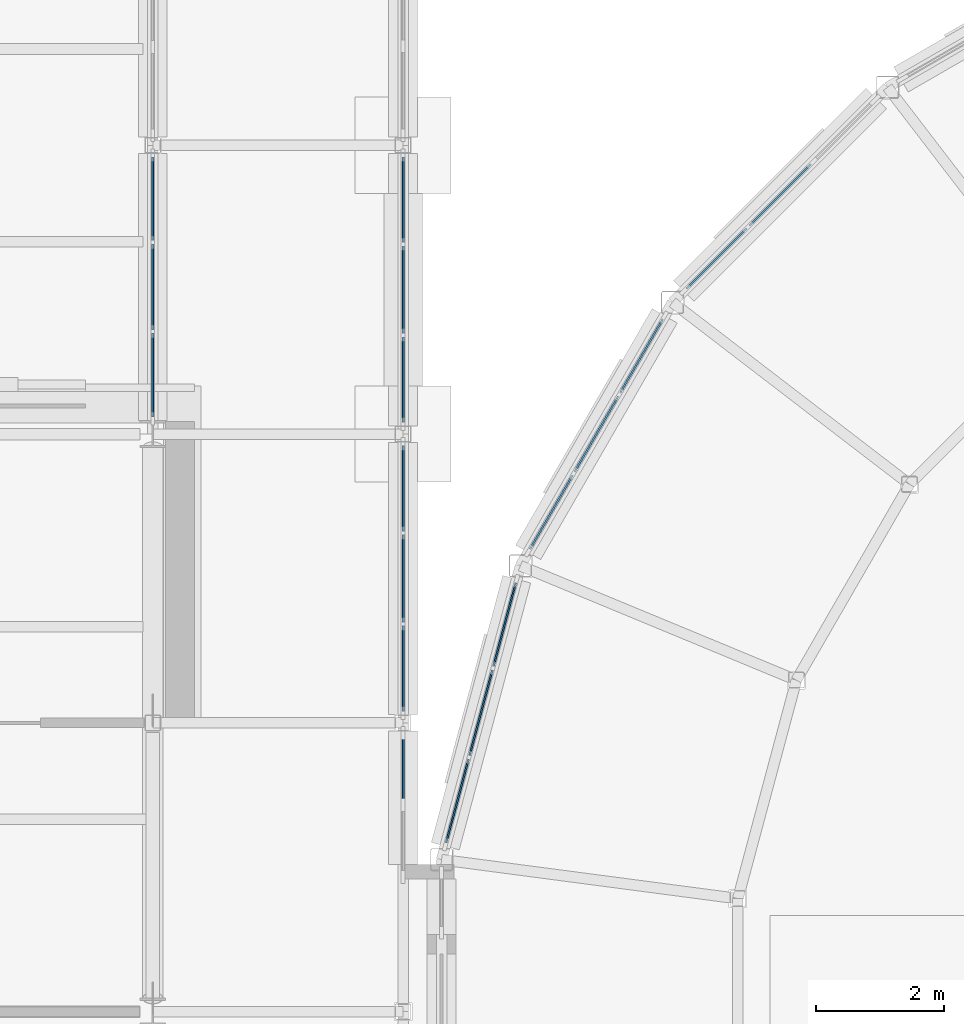
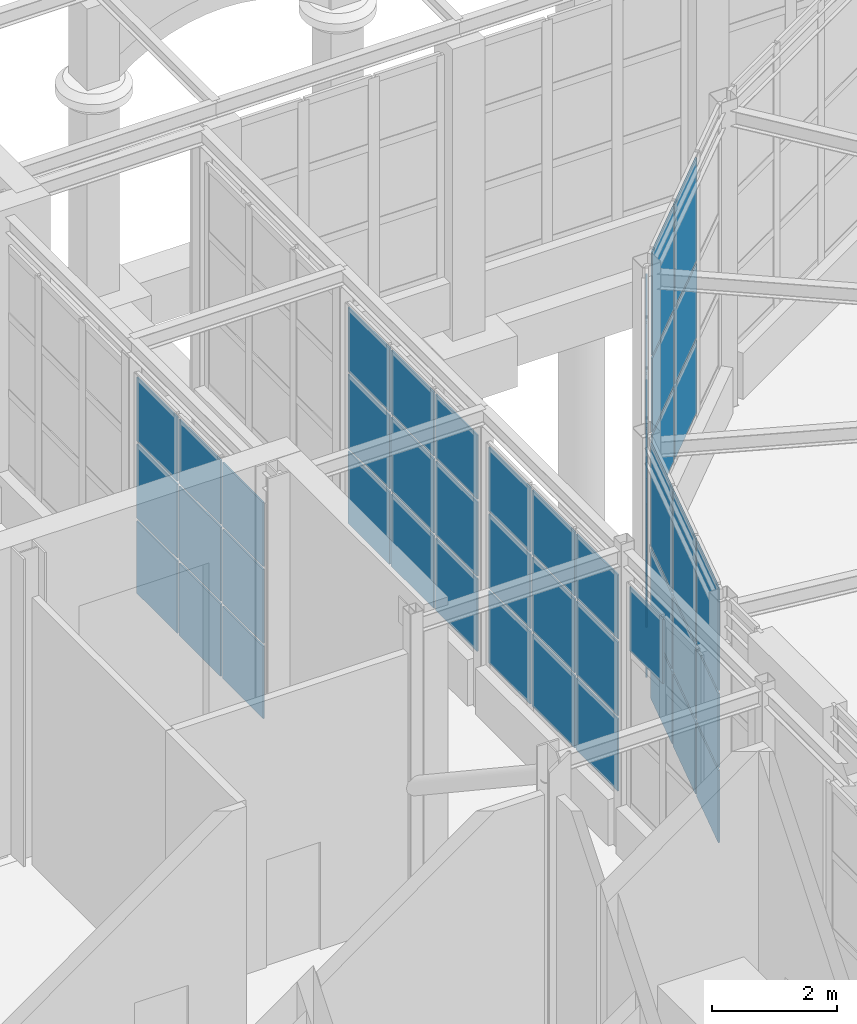
# One storey, part 58 of 106: 52 plates, 7 elements without a shape of their own.
"""IFC4 building model written with IfcOpenShell, lengths in metres."""

from ifc_helpers import new_model, si_unit, direction, frame, origin, origin_2d, place, context, subcontext, project, spatial, rectangle, extrude, material, layer, layer_set, type_object, element, aggregate, save


model = new_model("IFC4")

# Units and contexts
model_context = context("Model", 3, precision=1e-05, world=origin(), true_north=direction((0.0, 1.0)))
body_context = subcontext(model_context, "Body", "Model", "MODEL_VIEW")
ifc_project = project(units=[si_unit("LENGTHUNIT", "METRE"), si_unit("AREAUNIT", "SQUARE_METRE"), si_unit("VOLUMEUNIT", "CUBIC_METRE"), si_unit("PLANEANGLEUNIT", "RADIAN"), si_unit("MASSUNIT", "GRAM", prefix="KILO")], contexts=[model_context])

# Site, building, storey
site_placement = place(None, origin())
site = spatial("IfcSite", under=ifc_project, at=site_placement, CompositionType="ELEMENT")
building_placement = place(site_placement, origin())
building = spatial("IfcBuilding", under=site, at=building_placement, Name="Hortulan Conservatory and Botanical Research Centre", CompositionType="ELEMENT")
storey_placement = place(building_placement, origin())
storey = spatial("IfcBuildingStorey", under=building, at=storey_placement, Name="L00", CompositionType="ELEMENT", Elevation=0.0)

# Curtain wall, plates
ifc_material_1 = material(Name="Bronze-finished aluminium", Category="aluminium")
ifc_layer_1 = layer(ifc_material_1, 0.10009765625)
ifc_layer_set_1 = layer_set([ifc_layer_1], Name="Bronze-framed Curtain Wall 1500 module")
curtain_wall_type = type_object("IfcCurtainWallType", Name="Bronze-framed Curtain Wall 1500 module", PredefinedType="NOTDEFINED", material=ifc_layer_set_1)
curtain_wall_1_placement = place(storey_placement, origin())
curtain_wall_1 = element("IfcCurtainWall", 1, at=curtain_wall_1_placement, inside=storey, type_object=curtain_wall_type, Name="Curtain wall", PredefinedType="NOTDEFINED")
ifc_material_2 = material(Name="Low-e laminated glass", Category="glass")
ifc_layer_2 = layer(ifc_material_2, 0.028076171875)
ifc_layer_set_2 = layer_set([ifc_layer_2], Name="Laminated Glass Panel 28")
plate_type = type_object("IfcPlateType", Name="Laminated Glass Panel 28", PredefinedType="CURTAIN_PANEL", material=ifc_layer_set_2)
plate_1_placement = place(storey_placement, frame((40.281982421875, 29.73779296875, 0.9599609375), z_axis=(0.0, 0.0, 1.0), x_axis=(0.707095004018, 0.707118558159, 0.0)))
plate_1 = element("IfcPlate", 2, at=plate_1_placement, type_object=plate_type, Name="CW1 panel 1.1", PredefinedType="CURTAIN_PANEL", context=body_context, shape_type="SweptSolid", body=[
    extrude(rectangle(XDim=1.3251953125, YDim=0.028076171875, at=origin_2d()), origin(), (0.0, 0.0, 1.0), 1.409912109375),
])
plate_2_placement = place(storey_placement, frame((40.281982421875, 29.73779296875, 2.429931640625), z_axis=(0.0, 0.0, 1.0), x_axis=(0.707095004018, 0.707118558159, 0.0)))
plate_2 = element("IfcPlate", 3, at=plate_2_placement, type_object=plate_type, Name="CW1 panel 1.2", PredefinedType="CURTAIN_PANEL", context=body_context, shape_type="SweptSolid", body=[
    extrude(rectangle(XDim=1.3251953125, YDim=0.028076171875, at=origin_2d()), origin(), (0.0, 0.0, 1.0), 1.43994140625),
])
plate_3_placement = place(storey_placement, frame((40.281982421875, 29.73779296875, 3.93017578125), z_axis=(0.0, 0.0, 1.0), x_axis=(0.707095004018, 0.707118558159, 0.0)))
plate_3 = element("IfcPlate", 4, at=plate_3_placement, type_object=plate_type, Name="CW1 panel 1.3", PredefinedType="CURTAIN_PANEL", context=body_context, shape_type="SweptSolid", body=[
    extrude(rectangle(XDim=1.3251953125, YDim=0.028076171875, at=origin_2d()), origin(), (0.0, 0.0, 1.0), 2.010009765625),
])
plate_4_placement = place(storey_placement, frame((41.272216796875, 30.72802734375, 0.9599609375), z_axis=(0.0, 0.0, 1.0), x_axis=(0.707095004018, 0.707118558159, 0.0)))
plate_4 = element("IfcPlate", 5, at=plate_4_placement, type_object=plate_type, Name="CW1 panel 2.1", PredefinedType="CURTAIN_PANEL", context=body_context, shape_type="SweptSolid", body=[
    extrude(rectangle(XDim=1.355224609375, YDim=0.028076171875, at=origin_2d()), origin(), (0.0, 0.0, 1.0), 1.409912109375),
])
plate_5_placement = place(storey_placement, frame((41.272216796875, 30.72802734375, 2.429931640625), z_axis=(0.0, 0.0, 1.0), x_axis=(0.707095004018, 0.707118558159, 0.0)))
plate_5 = element("IfcPlate", 6, at=plate_5_placement, type_object=plate_type, Name="CW1 panel 2.2", PredefinedType="CURTAIN_PANEL", context=body_context, shape_type="SweptSolid", body=[
    extrude(rectangle(XDim=1.355224609375, YDim=0.028076171875, at=origin_2d()), origin(), (0.0, 0.0, 1.0), 1.43994140625),
])
plate_6_placement = place(storey_placement, frame((41.272216796875, 30.72802734375, 3.93017578125), z_axis=(0.0, 0.0, 1.0), x_axis=(0.707095004018, 0.707118558159, 0.0)))
plate_6 = element("IfcPlate", 7, at=plate_6_placement, type_object=plate_type, Name="CW1 panel 2.3", PredefinedType="CURTAIN_PANEL", context=body_context, shape_type="SweptSolid", body=[
    extrude(rectangle(XDim=1.355224609375, YDim=0.028076171875, at=origin_2d()), origin(), (0.0, 0.0, 1.0), 2.010009765625),
])
aggregate(curtain_wall_1, [plate_1, plate_2, plate_3, plate_4, plate_5, plate_6])

curtain_wall_2_placement = place(storey_placement, origin())
curtain_wall_2 = element("IfcCurtainWall", 8, at=curtain_wall_2_placement, inside=storey, type_object=curtain_wall_type, Name="Curtain wall", PredefinedType="NOTDEFINED")
plate_7_placement = place(storey_placement, frame((37.708984375, 25.782958984375, 0.9599609375), z_axis=(0.0, 0.0, 1.0), x_axis=(0.499981160235, 0.866036280655, 0.0)))
plate_7 = element("IfcPlate", 9, at=plate_7_placement, type_object=plate_type, Name="CW1 panel 1.1", PredefinedType="CURTAIN_PANEL", context=body_context, shape_type="SweptSolid", body=[
    extrude(rectangle(XDim=1.330078125, YDim=0.028076171875, at=origin_2d()), origin(), (0.0, 0.0, 1.0), 1.409912109375),
])
plate_8_placement = place(storey_placement, frame((37.708984375, 25.782958984375, 2.429931640625), z_axis=(0.0, 0.0, 1.0), x_axis=(0.499981160235, 0.866036280655, 0.0)))
plate_8 = element("IfcPlate", 10, at=plate_8_placement, type_object=plate_type, Name="CW1 panel 1.2", PredefinedType="CURTAIN_PANEL", context=body_context, shape_type="SweptSolid", body=[
    extrude(rectangle(XDim=1.330078125, YDim=0.028076171875, at=origin_2d()), origin(), (0.0, 0.0, 1.0), 1.43994140625),
])
plate_9_placement = place(storey_placement, frame((37.708984375, 25.782958984375, 3.93017578125), z_axis=(0.0, 0.0, 1.0), x_axis=(0.499981160235, 0.866036280655, 0.0)))
plate_9 = element("IfcPlate", 11, at=plate_9_placement, type_object=plate_type, Name="CW1 panel 1.3", PredefinedType="CURTAIN_PANEL", context=body_context, shape_type="SweptSolid", body=[
    extrude(rectangle(XDim=1.330078125, YDim=0.028076171875, at=origin_2d()), origin(), (0.0, 0.0, 1.0), 2.010009765625),
])
plate_10_placement = place(storey_placement, frame((38.41162109375, 27.0, 0.9599609375), z_axis=(0.0, 0.0, 1.0), x_axis=(0.499981160235, 0.866036280655, 0.0)))
plate_10 = element("IfcPlate", 12, at=plate_10_placement, type_object=plate_type, Name="CW1 panel 2.1", PredefinedType="CURTAIN_PANEL", context=body_context, shape_type="SweptSolid", body=[
    extrude(rectangle(XDim=1.360107421875, YDim=0.028076171875, at=origin_2d()), origin(), (0.0, 0.0, 1.0), 1.409912109375),
])
plate_11_placement = place(storey_placement, frame((38.41162109375, 27.0, 2.429931640625), z_axis=(0.0, 0.0, 1.0), x_axis=(0.499981160235, 0.866036280655, 0.0)))
plate_11 = element("IfcPlate", 13, at=plate_11_placement, type_object=plate_type, Name="CW1 panel 2.2", PredefinedType="CURTAIN_PANEL", context=body_context, shape_type="SweptSolid", body=[
    extrude(rectangle(XDim=1.360107421875, YDim=0.028076171875, at=origin_2d()), origin(), (0.0, 0.0, 1.0), 1.43994140625),
])
plate_12_placement = place(storey_placement, frame((38.41162109375, 27.0, 3.93017578125), z_axis=(0.0, 0.0, 1.0), x_axis=(0.499981160235, 0.866036280655, 0.0)))
plate_12 = element("IfcPlate", 14, at=plate_12_placement, type_object=plate_type, Name="CW1 panel 2.3", PredefinedType="CURTAIN_PANEL", context=body_context, shape_type="SweptSolid", body=[
    extrude(rectangle(XDim=1.360107421875, YDim=0.028076171875, at=origin_2d()), origin(), (0.0, 0.0, 1.0), 2.010009765625),
])
plate_13_placement = place(storey_placement, frame((39.114013671875, 28.217041015625, 0.9599609375), z_axis=(0.0, 0.0, 1.0), x_axis=(0.499981160235, 0.866036280655, 0.0)))
plate_13 = element("IfcPlate", 15, at=plate_13_placement, type_object=plate_type, Name="CW1 panel 3.1", PredefinedType="CURTAIN_PANEL", context=body_context, shape_type="SweptSolid", body=[
    extrude(rectangle(XDim=1.330078125, YDim=0.028076171875, at=origin_2d()), origin(), (0.0, 0.0, 1.0), 1.409912109375),
])
plate_14_placement = place(storey_placement, frame((39.114013671875, 28.217041015625, 2.429931640625), z_axis=(0.0, 0.0, 1.0), x_axis=(0.499981160235, 0.866036280655, 0.0)))
plate_14 = element("IfcPlate", 16, at=plate_14_placement, type_object=plate_type, Name="CW1 panel 3.2", PredefinedType="CURTAIN_PANEL", context=body_context, shape_type="SweptSolid", body=[
    extrude(rectangle(XDim=1.330078125, YDim=0.028076171875, at=origin_2d()), origin(), (0.0, 0.0, 1.0), 1.43994140625),
])
plate_15_placement = place(storey_placement, frame((39.114013671875, 28.217041015625, 3.93017578125), z_axis=(0.0, 0.0, 1.0), x_axis=(0.499981160235, 0.866036280655, 0.0)))
plate_15 = element("IfcPlate", 17, at=plate_15_placement, type_object=plate_type, Name="CW1 panel 3.3", PredefinedType="CURTAIN_PANEL", context=body_context, shape_type="SweptSolid", body=[
    extrude(rectangle(XDim=1.330078125, YDim=0.028076171875, at=origin_2d()), origin(), (0.0, 0.0, 1.0), 2.010009765625),
])
aggregate(curtain_wall_2, [plate_7, plate_8, plate_9, plate_10, plate_11, plate_12, plate_13, plate_14, plate_15])

curtain_wall_3_placement = place(storey_placement, origin())
curtain_wall_3 = element("IfcCurtainWall", 18, at=curtain_wall_3_placement, inside=storey, type_object=curtain_wall_type, Name="Curtain wall", PredefinedType="NOTDEFINED")
plate_16_placement = place(storey_placement, frame((36.245361328125, 21.285400390625, 0.9599609375), z_axis=(0.0, 0.0, 1.0), x_axis=(0.258831936284, 0.965922372015, 0.0)))
plate_16 = element("IfcPlate", 19, at=plate_16_placement, type_object=plate_type, Name="CW1 panel 1.1", PredefinedType="CURTAIN_PANEL", context=body_context, shape_type="SweptSolid", body=[
    extrude(rectangle(XDim=1.346923828125, YDim=0.028076171875, at=origin_2d()), origin(), (0.0, 0.0, 1.0), 1.409912109375),
])
plate_17_placement = place(storey_placement, frame((36.245361328125, 21.285400390625, 2.429931640625), z_axis=(0.0, 0.0, 1.0), x_axis=(0.258831936284, 0.965922372015, 0.0)))
plate_17 = element("IfcPlate", 20, at=plate_17_placement, type_object=plate_type, Name="CW1 panel 1.2", PredefinedType="CURTAIN_PANEL", context=body_context, shape_type="SweptSolid", body=[
    extrude(rectangle(XDim=1.346923828125, YDim=0.028076171875, at=origin_2d()), origin(), (0.0, 0.0, 1.0), 1.43994140625),
])
plate_18_placement = place(storey_placement, frame((36.245361328125, 21.285400390625, 3.93017578125), z_axis=(0.0, 0.0, 1.0), x_axis=(0.258831936284, 0.965922372015, 0.0)))
plate_18 = element("IfcPlate", 21, at=plate_18_placement, type_object=plate_type, Name="CW1 panel 1.3", PredefinedType="CURTAIN_PANEL", context=body_context, shape_type="SweptSolid", body=[
    extrude(rectangle(XDim=1.346923828125, YDim=0.028076171875, at=origin_2d()), origin(), (0.0, 0.0, 1.0), 2.010009765625),
])
plate_19_placement = place(storey_placement, frame((36.61328125, 22.658935546875, 0.9599609375), z_axis=(0.0, 0.0, 1.0), x_axis=(0.258831936284, 0.965922372015, 0.0)))
plate_19 = element("IfcPlate", 22, at=plate_19_placement, type_object=plate_type, Name="CW1 panel 2.1", PredefinedType="CURTAIN_PANEL", context=body_context, shape_type="SweptSolid", body=[
    extrude(rectangle(XDim=1.376953125, YDim=0.028076171875, at=origin_2d()), origin(), (0.0, 0.0, 1.0), 1.409912109375),
])
plate_20_placement = place(storey_placement, frame((36.61328125, 22.658935546875, 2.429931640625), z_axis=(0.0, 0.0, 1.0), x_axis=(0.258831936284, 0.965922372015, 0.0)))
plate_20 = element("IfcPlate", 23, at=plate_20_placement, type_object=plate_type, Name="CW1 panel 2.2", PredefinedType="CURTAIN_PANEL", context=body_context, shape_type="SweptSolid", body=[
    extrude(rectangle(XDim=1.376953125, YDim=0.028076171875, at=origin_2d()), origin(), (0.0, 0.0, 1.0), 1.43994140625),
])
plate_21_placement = place(storey_placement, frame((36.61328125, 22.658935546875, 3.93017578125), z_axis=(0.0, 0.0, 1.0), x_axis=(0.258831936284, 0.965922372015, 0.0)))
plate_21 = element("IfcPlate", 24, at=plate_21_placement, type_object=plate_type, Name="CW1 panel 2.3", PredefinedType="CURTAIN_PANEL", context=body_context, shape_type="SweptSolid", body=[
    extrude(rectangle(XDim=1.376953125, YDim=0.028076171875, at=origin_2d()), origin(), (0.0, 0.0, 1.0), 2.010009765625),
])
plate_22_placement = place(storey_placement, frame((36.9814453125, 24.032470703125, 0.9599609375), z_axis=(0.0, 0.0, 1.0), x_axis=(0.258831936284, 0.965922372015, 0.0)))
plate_22 = element("IfcPlate", 25, at=plate_22_placement, type_object=plate_type, Name="CW1 panel 3.1", PredefinedType="CURTAIN_PANEL", context=body_context, shape_type="SweptSolid", body=[
    extrude(rectangle(XDim=1.346923828125, YDim=0.028076171875, at=origin_2d()), origin(), (0.0, 0.0, 1.0), 1.409912109375),
])
plate_23_placement = place(storey_placement, frame((36.9814453125, 24.032470703125, 2.429931640625), z_axis=(0.0, 0.0, 1.0), x_axis=(0.258831936284, 0.965922372015, 0.0)))
plate_23 = element("IfcPlate", 26, at=plate_23_placement, type_object=plate_type, Name="CW1 panel 3.2", PredefinedType="CURTAIN_PANEL", context=body_context, shape_type="SweptSolid", body=[
    extrude(rectangle(XDim=1.346923828125, YDim=0.028076171875, at=origin_2d()), origin(), (0.0, 0.0, 1.0), 1.43994140625),
])
plate_24_placement = place(storey_placement, frame((36.9814453125, 24.032470703125, 3.93017578125), z_axis=(0.0, 0.0, 1.0), x_axis=(0.258831936284, 0.965922372015, 0.0)))
plate_24 = element("IfcPlate", 27, at=plate_24_placement, type_object=plate_type, Name="CW1 panel 3.3", PredefinedType="CURTAIN_PANEL", context=body_context, shape_type="SweptSolid", body=[
    extrude(rectangle(XDim=1.346923828125, YDim=0.028076171875, at=origin_2d()), origin(), (0.0, 0.0, 1.0), 2.010009765625),
])
aggregate(curtain_wall_3, [plate_16, plate_17, plate_18, plate_19, plate_20, plate_21, plate_22, plate_23, plate_24])

curtain_wall_4_placement = place(storey_placement, origin())
curtain_wall_4 = element("IfcCurtainWall", 28, at=curtain_wall_4_placement, inside=storey, type_object=curtain_wall_type, Name="Curtain wall", PredefinedType="NOTDEFINED")
plate_25_placement = place(storey_placement, frame((35.39990234375, 30.651611328125, 0.9599609375), z_axis=(0.0, 0.0, 1.0), x_axis=(0.0, -1.0, 0.0)))
plate_25 = element("IfcPlate", 29, at=plate_25_placement, type_object=plate_type, Name="CW1 panel 1.1", PredefinedType="CURTAIN_PANEL", context=body_context, shape_type="SweptSolid", body=[
    extrude(rectangle(XDim=1.32666015625, YDim=0.028076171875, at=origin_2d()), origin(), (0.0, 0.0, 1.0), 1.409912109375),
])
plate_26_placement = place(storey_placement, frame((35.39990234375, 30.651611328125, 2.429931640625), z_axis=(0.0, 0.0, 1.0), x_axis=(0.0, -1.0, 0.0)))
plate_26 = element("IfcPlate", 30, at=plate_26_placement, type_object=plate_type, Name="CW1 panel 1.2", PredefinedType="CURTAIN_PANEL", context=body_context, shape_type="SweptSolid", body=[
    extrude(rectangle(XDim=1.32666015625, YDim=0.028076171875, at=origin_2d()), origin(), (0.0, 0.0, 1.0), 1.43994140625),
])
plate_27_placement = place(storey_placement, frame((35.39990234375, 30.651611328125, 3.929931640625), z_axis=(0.0, 0.0, 1.0), x_axis=(0.0, -1.0, 0.0)))
plate_27 = element("IfcPlate", 31, at=plate_27_placement, type_object=plate_type, Name="CW1 panel 1.3", PredefinedType="CURTAIN_PANEL", context=body_context, shape_type="SweptSolid", body=[
    extrude(rectangle(XDim=1.32666015625, YDim=0.028076171875, at=origin_2d()), origin(), (0.0, 0.0, 1.0), 1.25),
])
plate_28_placement = place(storey_placement, frame((35.39990234375, 29.25, 0.9599609375), z_axis=(0.0, 0.0, 1.0), x_axis=(0.0, -1.0, 0.0)))
plate_28 = element("IfcPlate", 32, at=plate_28_placement, type_object=plate_type, Name="CW1 panel 2.1", PredefinedType="CURTAIN_PANEL", context=body_context, shape_type="SweptSolid", body=[
    extrude(rectangle(XDim=1.356689453125, YDim=0.028076171875, at=origin_2d()), origin(), (0.0, 0.0, 1.0), 1.409912109375),
])
plate_29_placement = place(storey_placement, frame((35.39990234375, 29.25, 2.429931640625), z_axis=(0.0, 0.0, 1.0), x_axis=(0.0, -1.0, 0.0)))
plate_29 = element("IfcPlate", 33, at=plate_29_placement, type_object=plate_type, Name="CW1 panel 2.2", PredefinedType="CURTAIN_PANEL", context=body_context, shape_type="SweptSolid", body=[
    extrude(rectangle(XDim=1.356689453125, YDim=0.028076171875, at=origin_2d()), origin(), (0.0, 0.0, 1.0), 1.43994140625),
])
plate_30_placement = place(storey_placement, frame((35.39990234375, 29.25, 3.929931640625), z_axis=(0.0, 0.0, 1.0), x_axis=(0.0, -1.0, 0.0)))
plate_30 = element("IfcPlate", 34, at=plate_30_placement, type_object=plate_type, Name="CW1 panel 2.3", PredefinedType="CURTAIN_PANEL", context=body_context, shape_type="SweptSolid", body=[
    extrude(rectangle(XDim=1.356689453125, YDim=0.028076171875, at=origin_2d()), origin(), (0.0, 0.0, 1.0), 1.25),
])
plate_31_placement = place(storey_placement, frame((35.39990234375, 27.848388671875, 0.9599609375), z_axis=(0.0, 0.0, 1.0), x_axis=(0.0, -1.0, 0.0)))
plate_31 = element("IfcPlate", 35, at=plate_31_placement, type_object=plate_type, Name="CW1 panel 3.1", PredefinedType="CURTAIN_PANEL", context=body_context, shape_type="SweptSolid", body=[
    extrude(rectangle(XDim=1.32666015625, YDim=0.028076171875, at=origin_2d()), origin(), (0.0, 0.0, 1.0), 1.409912109375),
])
plate_32_placement = place(storey_placement, frame((35.39990234375, 27.848388671875, 2.429931640625), z_axis=(0.0, 0.0, 1.0), x_axis=(0.0, -1.0, 0.0)))
plate_32 = element("IfcPlate", 36, at=plate_32_placement, type_object=plate_type, Name="CW1 panel 3.2", PredefinedType="CURTAIN_PANEL", context=body_context, shape_type="SweptSolid", body=[
    extrude(rectangle(XDim=1.32666015625, YDim=0.028076171875, at=origin_2d()), origin(), (0.0, 0.0, 1.0), 1.43994140625),
])
plate_33_placement = place(storey_placement, frame((35.39990234375, 27.848388671875, 3.929931640625), z_axis=(0.0, 0.0, 1.0), x_axis=(0.0, -1.0, 0.0)))
plate_33 = element("IfcPlate", 37, at=plate_33_placement, type_object=plate_type, Name="CW1 panel 3.3", PredefinedType="CURTAIN_PANEL", context=body_context, shape_type="SweptSolid", body=[
    extrude(rectangle(XDim=1.32666015625, YDim=0.028076171875, at=origin_2d()), origin(), (0.0, 0.0, 1.0), 1.25),
])
aggregate(curtain_wall_4, [plate_25, plate_26, plate_27, plate_28, plate_29, plate_30, plate_31, plate_32, plate_33])

curtain_wall_5_placement = place(storey_placement, origin())
curtain_wall_5 = element("IfcCurtainWall", 38, at=curtain_wall_5_placement, inside=storey, type_object=curtain_wall_type, Name="Curtain wall", PredefinedType="NOTDEFINED")
plate_34_placement = place(storey_placement, frame((35.39990234375, 26.151611328125, 0.9599609375), z_axis=(0.0, 0.0, 1.0), x_axis=(0.0, -1.0, 0.0)))
plate_34 = element("IfcPlate", 39, at=plate_34_placement, type_object=plate_type, Name="CW1 panel 1.1", PredefinedType="CURTAIN_PANEL", context=body_context, shape_type="SweptSolid", body=[
    extrude(rectangle(XDim=1.32666015625, YDim=0.028076171875, at=origin_2d()), origin(), (0.0, 0.0, 1.0), 1.409912109375),
])
plate_35_placement = place(storey_placement, frame((35.39990234375, 26.151611328125, 2.429931640625), z_axis=(0.0, 0.0, 1.0), x_axis=(0.0, -1.0, 0.0)))
plate_35 = element("IfcPlate", 40, at=plate_35_placement, type_object=plate_type, Name="CW1 panel 1.2", PredefinedType="CURTAIN_PANEL", context=body_context, shape_type="SweptSolid", body=[
    extrude(rectangle(XDim=1.32666015625, YDim=0.028076171875, at=origin_2d()), origin(), (0.0, 0.0, 1.0), 1.43994140625),
])
plate_36_placement = place(storey_placement, frame((35.39990234375, 26.151611328125, 3.929931640625), z_axis=(0.0, 0.0, 1.0), x_axis=(0.0, -1.0, 0.0)))
plate_36 = element("IfcPlate", 41, at=plate_36_placement, type_object=plate_type, Name="CW1 panel 1.3", PredefinedType="CURTAIN_PANEL", context=body_context, shape_type="SweptSolid", body=[
    extrude(rectangle(XDim=1.32666015625, YDim=0.028076171875, at=origin_2d()), origin(), (0.0, 0.0, 1.0), 1.25),
])
plate_37_placement = place(storey_placement, frame((35.39990234375, 24.75, 0.9599609375), z_axis=(0.0, 0.0, 1.0), x_axis=(0.0, -1.0, 0.0)))
plate_37 = element("IfcPlate", 42, at=plate_37_placement, type_object=plate_type, Name="CW1 panel 2.1", PredefinedType="CURTAIN_PANEL", context=body_context, shape_type="SweptSolid", body=[
    extrude(rectangle(XDim=1.356689453125, YDim=0.028076171875, at=origin_2d()), origin(), (0.0, 0.0, 1.0), 1.409912109375),
])
plate_38_placement = place(storey_placement, frame((35.39990234375, 24.75, 2.429931640625), z_axis=(0.0, 0.0, 1.0), x_axis=(0.0, -1.0, 0.0)))
plate_38 = element("IfcPlate", 43, at=plate_38_placement, type_object=plate_type, Name="CW1 panel 2.2", PredefinedType="CURTAIN_PANEL", context=body_context, shape_type="SweptSolid", body=[
    extrude(rectangle(XDim=1.356689453125, YDim=0.028076171875, at=origin_2d()), origin(), (0.0, 0.0, 1.0), 1.43994140625),
])
plate_39_placement = place(storey_placement, frame((35.39990234375, 24.75, 3.929931640625), z_axis=(0.0, 0.0, 1.0), x_axis=(0.0, -1.0, 0.0)))
plate_39 = element("IfcPlate", 44, at=plate_39_placement, type_object=plate_type, Name="CW1 panel 2.3", PredefinedType="CURTAIN_PANEL", context=body_context, shape_type="SweptSolid", body=[
    extrude(rectangle(XDim=1.356689453125, YDim=0.028076171875, at=origin_2d()), origin(), (0.0, 0.0, 1.0), 1.25),
])
plate_40_placement = place(storey_placement, frame((35.39990234375, 23.348388671875, 0.9599609375), z_axis=(0.0, 0.0, 1.0), x_axis=(0.0, -1.0, 0.0)))
plate_40 = element("IfcPlate", 45, at=plate_40_placement, type_object=plate_type, Name="CW1 panel 3.1", PredefinedType="CURTAIN_PANEL", context=body_context, shape_type="SweptSolid", body=[
    extrude(rectangle(XDim=1.32666015625, YDim=0.028076171875, at=origin_2d()), origin(), (0.0, 0.0, 1.0), 1.409912109375),
])
plate_41_placement = place(storey_placement, frame((35.39990234375, 23.348388671875, 2.429931640625), z_axis=(0.0, 0.0, 1.0), x_axis=(0.0, -1.0, 0.0)))
plate_41 = element("IfcPlate", 46, at=plate_41_placement, type_object=plate_type, Name="CW1 panel 3.2", PredefinedType="CURTAIN_PANEL", context=body_context, shape_type="SweptSolid", body=[
    extrude(rectangle(XDim=1.32666015625, YDim=0.028076171875, at=origin_2d()), origin(), (0.0, 0.0, 1.0), 1.43994140625),
])
plate_42_placement = place(storey_placement, frame((35.39990234375, 23.348388671875, 3.929931640625), z_axis=(0.0, 0.0, 1.0), x_axis=(0.0, -1.0, 0.0)))
plate_42 = element("IfcPlate", 47, at=plate_42_placement, type_object=plate_type, Name="CW1 panel 3.3", PredefinedType="CURTAIN_PANEL", context=body_context, shape_type="SweptSolid", body=[
    extrude(rectangle(XDim=1.32666015625, YDim=0.028076171875, at=origin_2d()), origin(), (0.0, 0.0, 1.0), 1.25),
])
aggregate(curtain_wall_5, [plate_34, plate_35, plate_36, plate_37, plate_38, plate_39, plate_40, plate_41, plate_42])

# Curtain wall, plate
curtain_wall_6_placement = place(storey_placement, origin())
curtain_wall_6 = element("IfcCurtainWall", 48, at=curtain_wall_6_placement, inside=storey, type_object=curtain_wall_type, Name="Curtain wall", PredefinedType="NOTDEFINED")
plate_43_placement = place(storey_placement, frame((35.39990234375, 21.78369140625, 3.929931640625), z_axis=(0.0, 0.0, 1.0), x_axis=(0.0, -1.0, 0.0)))
plate_43 = element("IfcPlate", 49, at=plate_43_placement, type_object=plate_type, Name="CW1 panel 1.3", PredefinedType="CURTAIN_PANEL", context=body_context, shape_type="SweptSolid", body=[
    extrude(rectangle(XDim=1.062744140625, YDim=0.028076171875, at=origin_2d()), origin(), (0.0, 0.0, 1.0), 1.25),
])
aggregate(curtain_wall_6, [plate_43])

# Curtain wall, plates
curtain_wall_7_placement = place(storey_placement, origin())
curtain_wall_7 = element("IfcCurtainWall", 50, at=curtain_wall_7_placement, inside=storey, type_object=curtain_wall_type, Name="Curtain wall", PredefinedType="NOTDEFINED")
plate_44_placement = place(storey_placement, frame((31.5, 27.919921875, 0.9599609375), z_axis=(0.0, 0.0, 1.0), x_axis=(0.0, 1.0, 0.0)))
plate_44 = element("IfcPlate", 51, at=plate_44_placement, type_object=plate_type, Name="CW1 panel 1.1", PredefinedType="CURTAIN_PANEL", context=body_context, shape_type="SweptSolid", body=[
    extrude(rectangle(XDim=1.298095703125, YDim=0.028076171875, at=origin_2d()), origin(), (0.0, 0.0, 1.0), 1.409912109375),
])
plate_45_placement = place(storey_placement, frame((31.5, 27.919921875, 2.429931640625), z_axis=(0.0, 0.0, 1.0), x_axis=(0.0, 1.0, 0.0)))
plate_45 = element("IfcPlate", 52, at=plate_45_placement, type_object=plate_type, Name="CW1 panel 1.2", PredefinedType="CURTAIN_PANEL", context=body_context, shape_type="SweptSolid", body=[
    extrude(rectangle(XDim=1.298095703125, YDim=0.028076171875, at=origin_2d()), origin(), (0.0, 0.0, 1.0), 1.43994140625),
])
plate_46_placement = place(storey_placement, frame((31.5, 27.919921875, 3.929931640625), z_axis=(0.0, 0.0, 1.0), x_axis=(0.0, 1.0, 0.0)))
plate_46 = element("IfcPlate", 53, at=plate_46_placement, type_object=plate_type, Name="CW1 panel 1.3", PredefinedType="CURTAIN_PANEL", context=body_context, shape_type="SweptSolid", body=[
    extrude(rectangle(XDim=1.298095703125, YDim=0.028076171875, at=origin_2d()), origin(), (0.0, 0.0, 1.0), 1.25),
])
plate_47_placement = place(storey_placement, frame((31.5, 29.29296875, 0.9599609375), z_axis=(0.0, 0.0, 1.0), x_axis=(0.0, 1.0, 0.0)))
plate_47 = element("IfcPlate", 54, at=plate_47_placement, type_object=plate_type, Name="CW1 panel 2.1", PredefinedType="CURTAIN_PANEL", context=body_context, shape_type="SweptSolid", body=[
    extrude(rectangle(XDim=1.327880859375, YDim=0.028076171875, at=origin_2d()), origin(), (0.0, 0.0, 1.0), 1.409912109375),
])
plate_48_placement = place(storey_placement, frame((31.5, 29.29296875, 2.429931640625), z_axis=(0.0, 0.0, 1.0), x_axis=(0.0, 1.0, 0.0)))
plate_48 = element("IfcPlate", 55, at=plate_48_placement, type_object=plate_type, Name="CW1 panel 2.2", PredefinedType="CURTAIN_PANEL", context=body_context, shape_type="SweptSolid", body=[
    extrude(rectangle(XDim=1.327880859375, YDim=0.028076171875, at=origin_2d()), origin(), (0.0, 0.0, 1.0), 1.43994140625),
])
plate_49_placement = place(storey_placement, frame((31.5, 29.29296875, 3.929931640625), z_axis=(0.0, 0.0, 1.0), x_axis=(0.0, 1.0, 0.0)))
plate_49 = element("IfcPlate", 56, at=plate_49_placement, type_object=plate_type, Name="CW1 panel 2.3", PredefinedType="CURTAIN_PANEL", context=body_context, shape_type="SweptSolid", body=[
    extrude(rectangle(XDim=1.327880859375, YDim=0.028076171875, at=origin_2d()), origin(), (0.0, 0.0, 1.0), 1.25),
])
plate_50_placement = place(storey_placement, frame((31.5, 30.666015625, 0.9599609375), z_axis=(0.0, 0.0, 1.0), x_axis=(0.0, 1.0, 0.0)))
plate_50 = element("IfcPlate", 57, at=plate_50_placement, type_object=plate_type, Name="CW1 panel 3.1", PredefinedType="CURTAIN_PANEL", context=body_context, shape_type="SweptSolid", body=[
    extrude(rectangle(XDim=1.298095703125, YDim=0.028076171875, at=origin_2d()), origin(), (0.0, 0.0, 1.0), 1.409912109375),
])
plate_51_placement = place(storey_placement, frame((31.5, 30.666015625, 2.429931640625), z_axis=(0.0, 0.0, 1.0), x_axis=(0.0, 1.0, 0.0)))
plate_51 = element("IfcPlate", 58, at=plate_51_placement, type_object=plate_type, Name="CW1 panel 3.2", PredefinedType="CURTAIN_PANEL", context=body_context, shape_type="SweptSolid", body=[
    extrude(rectangle(XDim=1.298095703125, YDim=0.028076171875, at=origin_2d()), origin(), (0.0, 0.0, 1.0), 1.43994140625),
])
plate_52_placement = place(storey_placement, frame((31.5, 30.666015625, 3.929931640625), z_axis=(0.0, 0.0, 1.0), x_axis=(0.0, 1.0, 0.0)))
plate_52 = element("IfcPlate", 59, at=plate_52_placement, type_object=plate_type, Name="CW1 panel 3.3", PredefinedType="CURTAIN_PANEL", context=body_context, shape_type="SweptSolid", body=[
    extrude(rectangle(XDim=1.298095703125, YDim=0.028076171875, at=origin_2d()), origin(), (0.0, 0.0, 1.0), 1.25),
])
aggregate(curtain_wall_7, [plate_44, plate_45, plate_46, plate_47, plate_48, plate_49, plate_50, plate_51, plate_52])

save(model, "model.ifc")
